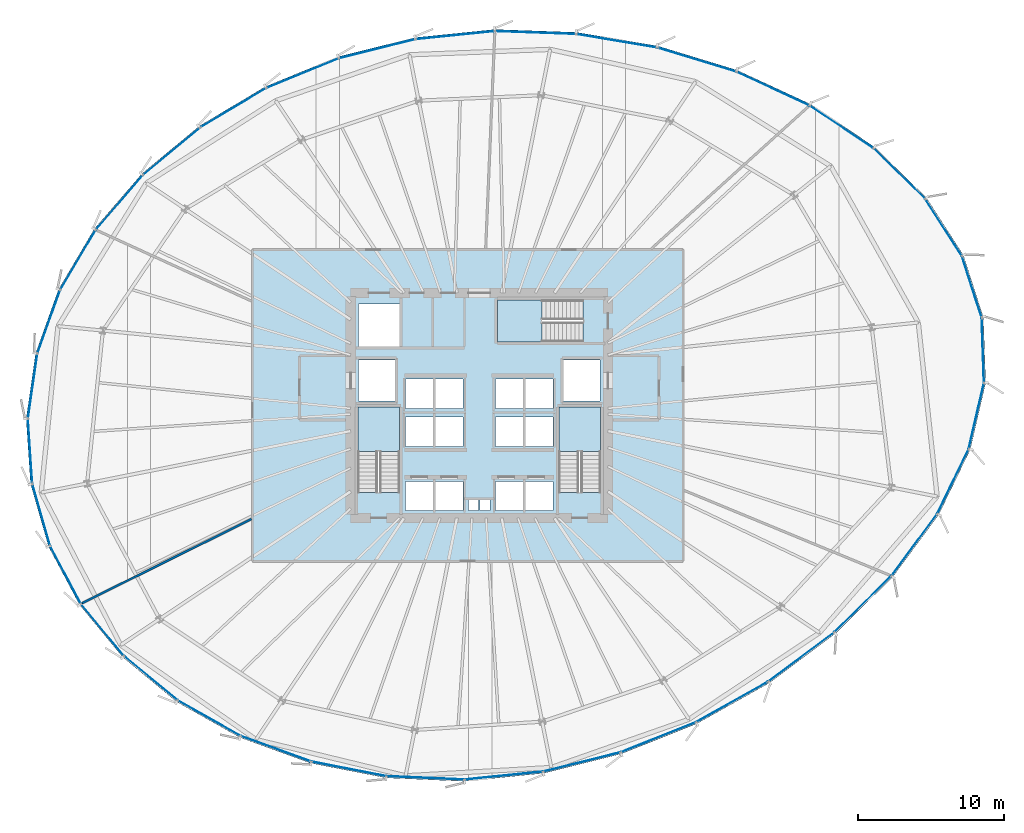
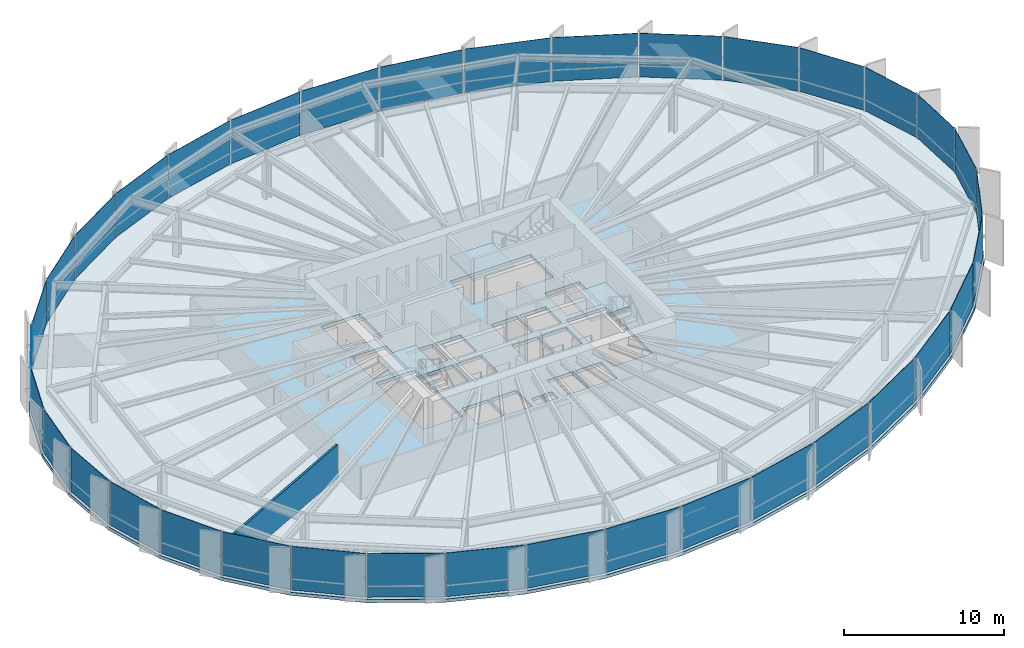
# One storey, part 28 of 35: 36 plates, 4 slabs, 1 wall, 9 elements without a shape of their own.
"""IFC4 building model written with IfcOpenShell, lengths in metres."""

from ifc_helpers import new_model, si_unit, direction, frame, frame_2d, origin, origin_2d, place, context, subcontext, project, spatial, polyline, rectangle, outline, extrude, source, transform, mapped, material, layer, layer_set, type_object, element, aggregate, save


model = new_model("IFC4")

# Units and contexts
model_context = context("Model", 3, precision=1e-05, world=origin(), true_north=direction((0.0, 1.0)))
body_context = subcontext(model_context, "Body", "Model", "MODEL_VIEW")
ifc_project = project(units=[si_unit("LENGTHUNIT", "METRE"), si_unit("AREAUNIT", "SQUARE_METRE"), si_unit("VOLUMEUNIT", "CUBIC_METRE"), si_unit("PLANEANGLEUNIT", "RADIAN"), si_unit("MASSUNIT", "GRAM", prefix="KILO"), si_unit("THERMODYNAMICTEMPERATUREUNIT", "KELVIN")], contexts=[model_context])

# Site, building, storey
site_placement = place(None, origin())
site = spatial("IfcSite", under=ifc_project, at=site_placement, CompositionType="ELEMENT")
building_placement = place(site_placement, origin())
building = spatial("IfcBuilding", under=site, at=building_placement, Name="Kethvar Cultural Tower", CompositionType="ELEMENT")
storey_placement = place(building_placement, frame((0.0, 0.0, 71.39990234375)))
storey = spatial("IfcBuildingStorey", under=building, at=storey_placement, Name="L17", CompositionType="ELEMENT", Elevation=71.39990234375)

# Stair, slab
ifc_material_1 = material(Name="Concrete C40/50", Category="concrete")
stair_type = type_object("IfcStairType", Name="ST-DOGLEG-135", PredefinedType="HALF_TURN_STAIR", material=ifc_material_1)
stair_1_placement = place(storey_placement, origin())
stair_1 = element("IfcStair", 1, at=stair_1_placement, inside=storey, type_object=stair_type, Name="L17 Core Exit Stair 1", PredefinedType="HALF_TURN_STAIR")
ifc_layer_1 = layer(ifc_material_1, 0.199951171875, Name="Concrete C40/50", Category="concrete")
ifc_layer_set_1 = layer_set([ifc_layer_1], Name="Concrete C40/50 (200 mm)")
slab_type_1 = type_object("IfcSlabType", Name="SL-STAIR-LANDING-200", PredefinedType="LANDING", material=ifc_layer_set_1)
slab_1_placement = place(storey_placement, frame((0.0, 0.0, 1.7001953125)))
slab_1 = element("IfcSlab", 2, at=slab_1_placement, type_object=slab_type_1, Name="ST-01 landing 1", PredefinedType="LANDING", context=body_context, shape_type="SweptSolid", body=[
    extrude(outline(polyline([(41.35009765625, 24.64990234375), (41.35009765625, 27.699951171875), (38.489990234375, 27.699951171875), (38.489990234375, 24.64990234375), (41.35009765625, 24.64990234375)])), origin(), (0.0, 0.0, 1.0), 0.199951171875),
])
aggregate(stair_1, [slab_1])

stair_2_placement = place(storey_placement, origin())
stair_2 = element("IfcStair", 3, at=stair_2_placement, inside=storey, type_object=stair_type, Name="L17 Core Exit Stair 2", PredefinedType="HALF_TURN_STAIR")
slab_2_placement = place(storey_placement, frame((0.0, 0.0, 1.7001953125)))
slab_2 = element("IfcSlab", 4, at=slab_2_placement, type_object=slab_type_1, Name="ST-02 landing 1", PredefinedType="LANDING", context=body_context, shape_type="SweptSolid", body=[
    extrude(outline(polyline([(55.110107421875, 24.64990234375), (55.110107421875, 27.699951171875), (52.25, 27.699951171875), (52.25, 24.64990234375), (55.110107421875, 24.64990234375)])), origin(), (0.0, 0.0, 1.0), 0.199951171875),
])
aggregate(stair_2, [slab_2])

stair_3_placement = place(storey_placement, origin())
stair_3 = element("IfcStair", 5, at=stair_3_placement, inside=storey, type_object=stair_type, Name="L17 Core Exit Stair 3", PredefinedType="HALF_TURN_STAIR")
slab_3_placement = place(storey_placement, frame((0.0, 0.0, 1.7001953125)))
slab_3 = element("IfcSlab", 6, at=slab_3_placement, type_object=slab_type_1, Name="ST-03 landing 1", PredefinedType="LANDING", context=body_context, shape_type="SweptSolid", body=[
    extrude(outline(polyline([(51.10009765625, 35.010009765625), (48.050048828125, 35.010009765625), (48.050048828125, 32.14990234375), (51.10009765625, 32.14990234375), (51.10009765625, 35.010009765625)])), origin(), (0.0, 0.0, 1.0), 0.199951171875),
])
aggregate(stair_3, [slab_3])

# Slab
ifc_layer_2 = layer(ifc_material_1, 0.25, Name="Concrete C40/50", Category="concrete")
ifc_layer_set_2 = layer_set([ifc_layer_2], Name="Concrete C40/50 (250 mm)")
slab_type_2 = type_object("IfcSlabType", Name="SL-TOW-250", PredefinedType="FLOOR", material=ifc_layer_set_2)
slab_4_placement = place(storey_placement, frame((0.0, 0.0, -0.25)))
element("IfcSlab", 7, at=slab_4_placement, inside=storey, type_object=slab_type_2, Name="L17 Structural Floor Slab", PredefinedType="FLOOR", context=body_context, shape_type="SweptSolid", body=[
    extrude(outline(polyline([(81.2998046875, 33.8212890625), (79.927978515625, 38.086181640625), (77.399169921875, 42.01220703125), (73.843505859375, 45.48974609375), (69.447021484375, 48.42626953125), (64.428955078125, 50.747802734375), (59.019287109375, 52.397216796875), (53.43359375, 53.3330078125), (47.853271484375, 53.529541015625), (42.406494140625, 52.972900390625), (37.14111328125, 51.659912109375), (32.169189453125, 49.621826171875), (27.6416015625, 46.9208984375), (23.6962890625, 43.638916015625), (20.452880859375, 39.87548828125), (18.010009765625, 35.7451171875), (16.442138671875, 31.37353515625), (15.79638671875, 26.893310546875), (16.0927734375, 22.440673828125), (17.322265625, 18.15087890625), (19.447265625, 14.154296875), (22.403564453125, 10.572265625), (26.100830078125, 7.513671875), (30.42724609375, 5.071533203125), (35.251220703125, 3.31982421875), (40.426025390625, 2.312255859375), (45.79443359375, 2.078857421875), (51.193359375, 2.626953125), (56.506591796875, 3.948486328125), (61.6904296875, 6.0234375), (66.62890625, 8.796142578125), (71.16015625, 12.180419921875), (75.094970703125, 16.064453125), (78.237060546875, 20.31689453125), (80.404296875, 24.79296875), (81.453857421875, 29.34375), (81.2998046875, 33.8212890625)]), holes=[polyline([(38.489990234375, 21.85009765625), (38.489990234375, 27.699951171875), (41.35009765625, 27.699951171875), (41.35009765625, 21.85009765625), (38.489990234375, 21.85009765625)]), polyline([(52.25, 21.85009765625), (52.25, 27.699951171875), (55.110107421875, 27.699951171875), (55.110107421875, 21.85009765625), (52.25, 21.85009765625)]), polyline([(53.89990234375, 32.14990234375), (48.050048828125, 32.14990234375), (48.050048828125, 35.010009765625), (53.89990234375, 35.010009765625), (53.89990234375, 32.14990234375)]), polyline([(41.75, 22.60009765625), (43.64990234375, 22.60009765625), (43.64990234375, 20.60009765625), (41.75, 20.60009765625), (41.75, 22.60009765625)]), polyline([(43.800048828125, 22.60009765625), (45.699951171875, 22.60009765625), (45.699951171875, 20.60009765625), (43.800048828125, 20.60009765625), (43.800048828125, 22.60009765625)]), polyline([(47.89990234375, 22.60009765625), (49.800048828125, 22.60009765625), (49.800048828125, 20.60009765625), (47.89990234375, 20.60009765625), (47.89990234375, 22.60009765625)]), polyline([(49.949951171875, 22.60009765625), (51.85009765625, 22.60009765625), (51.85009765625, 20.60009765625), (49.949951171875, 20.60009765625), (49.949951171875, 22.60009765625)]), polyline([(41.75, 27.0), (43.64990234375, 27.0), (43.64990234375, 25.0), (41.75, 25.0), (41.75, 27.0)]), polyline([(43.800048828125, 27.0), (45.699951171875, 27.0), (45.699951171875, 25.0), (43.800048828125, 25.0), (43.800048828125, 27.0)]), polyline([(47.89990234375, 27.0), (49.800048828125, 27.0), (49.800048828125, 25.0), (47.89990234375, 25.0), (47.89990234375, 27.0)]), polyline([(49.949951171875, 27.0), (51.85009765625, 27.0), (51.85009765625, 25.0), (49.949951171875, 25.0), (49.949951171875, 27.0)]), polyline([(41.75, 29.60009765625), (43.64990234375, 29.60009765625), (43.64990234375, 27.60009765625), (41.75, 27.60009765625), (41.75, 29.60009765625)]), polyline([(43.800048828125, 29.60009765625), (45.699951171875, 29.60009765625), (45.699951171875, 27.60009765625), (43.800048828125, 27.60009765625), (43.800048828125, 29.60009765625)]), polyline([(47.89990234375, 29.60009765625), (49.800048828125, 29.60009765625), (49.800048828125, 27.60009765625), (47.89990234375, 27.60009765625), (47.89990234375, 29.60009765625)]), polyline([(49.949951171875, 29.60009765625), (51.85009765625, 29.60009765625), (51.85009765625, 27.60009765625), (49.949951171875, 27.60009765625), (49.949951171875, 29.60009765625)]), polyline([(38.550048828125, 30.89990234375), (41.050048828125, 30.89990234375), (41.050048828125, 28.10009765625), (38.550048828125, 28.10009765625), (38.550048828125, 30.89990234375)]), polyline([(52.550048828125, 30.89990234375), (55.050048828125, 30.89990234375), (55.050048828125, 28.10009765625), (52.550048828125, 28.10009765625), (52.550048828125, 30.89990234375)]), polyline([(38.550048828125, 34.75), (41.35009765625, 34.75), (41.35009765625, 31.85009765625), (38.550048828125, 31.85009765625), (38.550048828125, 34.75)]), polyline([(46.050048828125, 21.35009765625), (46.75, 21.35009765625), (46.75, 20.60009765625), (46.050048828125, 20.60009765625), (46.050048828125, 21.35009765625)]), polyline([(46.85009765625, 21.35009765625), (47.550048828125, 21.35009765625), (47.550048828125, 20.60009765625), (46.85009765625, 20.60009765625), (46.85009765625, 21.35009765625)])]), origin(), (0.0, 0.0, 1.0), 0.25),
])

# Curtain wall, plates
ifc_material_2 = material(Name="Aluminium 6063-T6", Category="aluminium")
ifc_layer_3 = layer(ifc_material_2, 0.179931640625, Name="Aluminium 6063-T6", Category="aluminium")
ifc_layer_set_3 = layer_set([ifc_layer_3], Name="Aluminium 6063-T6 (180 mm)")
curtain_wall_type = type_object("IfcCurtainWallType", Name="CW-SYS-02-Z1", PredefinedType="NOTDEFINED", material=ifc_layer_set_3)
curtain_wall_1_placement = place(storey_placement, origin())
curtain_wall_1 = element("IfcCurtainWall", 8, at=curtain_wall_1_placement, inside=storey, type_object=curtain_wall_type, Name="L17 Curtain Wall Run 01", PredefinedType="NOTDEFINED")
ifc_material_3 = material(Name="Insulated Low-E Solar Glass", Category="glass")
ifc_layer_4 = layer(ifc_material_3, 0.031982421875, Name="Insulated Low-E Solar Glass", Category="glass")
ifc_layer_set_4 = layer_set([ifc_layer_4], Name="Insulated Low-E Solar Glass (32 mm)")
plate_type = type_object("IfcPlateType", Name="CW-SYS-02-Z1-PNL", PredefinedType="CURTAIN_PANEL", material=ifc_layer_set_4)
shared_shape_1 = source(origin(), body_context, "Body", "SweptSolid", [
    extrude(rectangle(XDim=4.38671875, YDim=0.031982421875, at=origin_2d()), origin(), (0.0, 0.0, 1.0), 3.340087890625),
])
plate_1_placement = place(storey_placement, frame((80.499755859375, 35.9169921875, 0.10009765625), z_axis=(0.0, 0.0, 1.0), x_axis=(-0.306210411771, 0.951963856311, 0.0)))
plate_1 = element("IfcPlate", 9, at=plate_1_placement, type_object=plate_type, Name="CW-L17-R01 Vision Glazing Panel 1", PredefinedType="CURTAIN_PANEL", context=body_context, shape_type="MappedRepresentation", body=[
    mapped(shared_shape_1, transform((0.0, 0.0, 0.0), scale=1.0)),
])
shared_shape_2 = source(origin(), body_context, "Body", "SweptSolid", [
    extrude(rectangle(XDim=4.576416015625, YDim=0.031982421875, at=origin_2d()), origin(), (0.0, 0.0, 1.0), 3.340087890625),
])
plate_2_placement = place(storey_placement, frame((78.562744140625, 39.984375, 0.10009765625), z_axis=(0.0, 0.0, 1.0), x_axis=(-0.541502804946, 0.840698942687, 0.0)))
plate_2 = element("IfcPlate", 10, at=plate_2_placement, type_object=plate_type, Name="CW-L17-R01 Vision Glazing Panel 2", PredefinedType="CURTAIN_PANEL", context=body_context, shape_type="MappedRepresentation", body=[
    mapped(shared_shape_2, transform((0.0, 0.0, 0.0), scale=1.0)),
])

# Curtain wall, plate
curtain_wall_2_placement = place(storey_placement, origin())
curtain_wall_2 = element("IfcCurtainWall", 11, at=curtain_wall_2_placement, inside=storey, type_object=curtain_wall_type, Name="L17 Curtain Wall Run 06", PredefinedType="NOTDEFINED")
plate_3_placement = place(storey_placement, frame((80.812255859375, 27.09521484375, 0.10009765625), z_axis=(0.0, 0.0, 1.0), x_axis=(0.22471296411, 0.974425001609, 0.0)))
plate_3 = element("IfcPlate", 12, at=plate_3_placement, type_object=plate_type, Name="CW-L17-R06 Vision Glazing Panel 5", PredefinedType="CURTAIN_PANEL", context=body_context, shape_type="MappedRepresentation", body=[
    mapped(shared_shape_2, transform((0.0, 0.0, 0.0), scale=1.0)),
])

# Plate
shared_shape_3 = source(origin(), body_context, "Body", "SweptSolid", [
    extrude(rectangle(XDim=4.8798828125, YDim=0.031982421875, at=origin_2d()), origin(), (0.0, 0.0, 1.0), 3.340087890625),
])
plate_4_placement = place(storey_placement, frame((75.53759765625, 43.665283203125, 0.10009765625), z_axis=(0.0, 0.0, 1.0), x_axis=(-0.714924353497, 0.699201808333, 0.0)))
plate_4 = element("IfcPlate", 13, at=plate_4_placement, type_object=plate_type, Name="CW-L17-R01 Vision Glazing Panel 3", PredefinedType="CURTAIN_PANEL", context=body_context, shape_type="MappedRepresentation", body=[
    mapped(shared_shape_3, transform((0.0, 0.0, 0.0), scale=1.0)),
])

plate_5_placement = place(storey_placement, frame((79.212646484375, 22.607177734375, 0.10009765625), z_axis=(0.0, 0.0, 1.0), x_axis=(0.435812409076, 0.900037523715, 0.0)))
plate_5 = element("IfcPlate", 14, at=plate_5_placement, type_object=plate_type, Name="CW-L17-R06 Vision Glazing Panel 4", PredefinedType="CURTAIN_PANEL", context=body_context, shape_type="MappedRepresentation", body=[
    mapped(shared_shape_3, transform((0.0, 0.0, 0.0), scale=1.0)),
])

shared_shape_4 = source(origin(), body_context, "Body", "SweptSolid", [
    extrude(rectangle(XDim=5.193603515625, YDim=0.031982421875, at=origin_2d()), origin(), (0.0, 0.0, 1.0), 3.340087890625),
])
plate_6_placement = place(storey_placement, frame((71.57861328125, 46.858154296875, 0.10009765625), z_axis=(0.0, 0.0, 1.0), x_axis=(-0.831566564936, 0.555425105735, 0.0)))
plate_6 = element("IfcPlate", 15, at=plate_6_placement, type_object=plate_type, Name="CW-L17-R01 Vision Glazing Panel 4", PredefinedType="CURTAIN_PANEL", context=body_context, shape_type="MappedRepresentation", body=[
    mapped(shared_shape_4, transform((0.0, 0.0, 0.0), scale=1.0)),
])

plate_7_placement = place(storey_placement, frame((76.569580078125, 18.261962890625, 0.10009765625), z_axis=(0.0, 0.0, 1.0), x_axis=(0.594261443885, 0.804271929332, 0.0)))
plate_7 = element("IfcPlate", 16, at=plate_7_placement, type_object=plate_type, Name="CW-L17-R06 Vision Glazing Panel 3", PredefinedType="CURTAIN_PANEL", context=body_context, shape_type="MappedRepresentation", body=[
    mapped(shared_shape_4, transform((0.0, 0.0, 0.0), scale=1.0)),
])

shared_shape_5 = source(origin(), body_context, "Body", "SweptSolid", [
    extrude(rectangle(XDim=5.435302734375, YDim=0.031982421875, at=origin_2d()), origin(), (0.0, 0.0, 1.0), 3.340087890625),
])
plate_8_placement = place(storey_placement, frame((66.8876953125, 49.47802734375, 0.10009765625), z_axis=(0.0, 0.0, 1.0), x_axis=(-0.90757971561, 0.419879815916, 0.0)))
plate_8 = element("IfcPlate", 17, at=plate_8_placement, type_object=plate_type, Name="CW-L17-R01 Vision Glazing Panel 5", PredefinedType="CURTAIN_PANEL", context=body_context, shape_type="MappedRepresentation", body=[
    mapped(shared_shape_5, transform((0.0, 0.0, 0.0), scale=1.0)),
])

plate_9_placement = place(storey_placement, frame((73.043212890625, 14.2080078125, 0.10009765625), z_axis=(0.0, 0.0, 1.0), x_axis=(0.711695085114, 0.70248850939, 0.0)))
plate_9 = element("IfcPlate", 18, at=plate_9_placement, type_object=plate_type, Name="CW-L17-R06 Vision Glazing Panel 2", PredefinedType="CURTAIN_PANEL", context=body_context, shape_type="MappedRepresentation", body=[
    mapped(shared_shape_5, transform((0.0, 0.0, 0.0), scale=1.0)),
])

shared_shape_6 = source(origin(), body_context, "Body", "SweptSolid", [
    extrude(rectangle(XDim=5.56201171875, YDim=0.031982421875, at=origin_2d()), origin(), (0.0, 0.0, 1.0), 3.340087890625),
])
plate_10_placement = place(storey_placement, frame((61.689208984375, 51.457763671875, 0.10009765625), z_axis=(0.0, 0.0, 1.0), x_axis=(-0.956534089191, 0.291620534626, 0.0)))
plate_10 = element("IfcPlate", 19, at=plate_10_placement, type_object=plate_type, Name="CW-L17-R01 Vision Glazing Panel 6", PredefinedType="CURTAIN_PANEL", context=body_context, shape_type="MappedRepresentation", body=[
    mapped(shared_shape_6, transform((0.0, 0.0, 0.0), scale=1.0)),
])

aggregate(curtain_wall_1, [plate_1, plate_2, plate_4, plate_6, plate_8, plate_10])

plate_11_placement = place(storey_placement, frame((68.822509765625, 10.58447265625, 0.10009765625), z_axis=(0.0, 0.0, 1.0), x_axis=(0.801201595969, 0.598394520878, 0.0)))
plate_11 = element("IfcPlate", 20, at=plate_11_placement, type_object=plate_type, Name="CW-L17-R06 Vision Glazing Panel 1", PredefinedType="CURTAIN_PANEL", context=body_context, shape_type="MappedRepresentation", body=[
    mapped(shared_shape_6, transform((0.0, 0.0, 0.0), scale=1.0)),
])

# Curtain wall, plates
curtain_wall_3_placement = place(storey_placement, origin())
curtain_wall_3 = element("IfcCurtainWall", 21, at=curtain_wall_3_placement, inside=storey, type_object=curtain_wall_type, Name="L17 Curtain Wall Run 02", PredefinedType="NOTDEFINED")
shared_shape_7 = source(origin(), body_context, "Body", "SweptSolid", [
    extrude(rectangle(XDim=5.570068359375, YDim=0.031982421875, at=origin_2d()), origin(), (0.0, 0.0, 1.0), 3.340087890625),
])
plate_12_placement = place(storey_placement, frame((56.20654296875, 52.74658203125, 0.10009765625), z_axis=(0.0, 0.0, 1.0), x_axis=(-0.986248128037, 0.165271382715, 0.0)))
plate_12 = element("IfcPlate", 22, at=plate_12_placement, type_object=plate_type, Name="CW-L17-R02 Vision Glazing Panel 1", PredefinedType="CURTAIN_PANEL", context=body_context, shape_type="MappedRepresentation", body=[
    mapped(shared_shape_7, transform((0.0, 0.0, 0.0), scale=1.0)),
])
shared_shape_8 = source(origin(), body_context, "Body", "SweptSolid", [
    extrude(rectangle(XDim=5.489990234375, YDim=0.031982421875, at=origin_2d()), origin(), (0.0, 0.0, 1.0), 3.340087890625),
])
plate_13_placement = place(storey_placement, frame((50.63916015625, 53.311279296875, 0.10009765625), z_axis=(0.0, 0.0, 1.0), x_axis=(-0.999381042274, 0.035178577905, 0.0)))
plate_13 = element("IfcPlate", 23, at=plate_13_placement, type_object=plate_type, Name="CW-L17-R02 Vision Glazing Panel 2", PredefinedType="CURTAIN_PANEL", context=body_context, shape_type="MappedRepresentation", body=[
    mapped(shared_shape_8, transform((0.0, 0.0, 0.0), scale=1.0)),
])
shared_shape_9 = source(origin(), body_context, "Body", "SweptSolid", [
    extrude(rectangle(XDim=5.38134765625, YDim=0.031982421875, at=origin_2d()), origin(), (0.0, 0.0, 1.0), 3.340087890625),
])
plate_14_placement = place(storey_placement, frame((45.14208984375, 53.1318359375, 0.10009765625), z_axis=(0.0, 0.0, 1.0), x_axis=(-0.994820565651, -0.101646653453, 0.0)))
plate_14 = element("IfcPlate", 24, at=plate_14_placement, type_object=plate_type, Name="CW-L17-R02 Vision Glazing Panel 3", PredefinedType="CURTAIN_PANEL", context=body_context, shape_type="MappedRepresentation", body=[
    mapped(shared_shape_9, transform((0.0, 0.0, 0.0), scale=1.0)),
])

# Curtain wall, plate
curtain_wall_4_placement = place(storey_placement, origin())
curtain_wall_4 = element("IfcCurtainWall", 25, at=curtain_wall_4_placement, inside=storey, type_object=curtain_wall_type, Name="L17 Curtain Wall Run 05", PredefinedType="NOTDEFINED")
plate_15_placement = place(storey_placement, frame((53.821044921875, 3.404296875, 0.10009765625), z_axis=(0.0, 0.0, 1.0), x_axis=(0.970439114771, 0.241346067964, 0.0)))
plate_15 = element("IfcPlate", 26, at=plate_15_placement, type_object=plate_type, Name="CW-L17-R05 Vision Glazing Panel 4", PredefinedType="CURTAIN_PANEL", context=body_context, shape_type="MappedRepresentation", body=[
    mapped(shared_shape_9, transform((0.0, 0.0, 0.0), scale=1.0)),
])

# Plate
shared_shape_10 = source(origin(), body_context, "Body", "SweptSolid", [
    extrude(rectangle(XDim=5.333251953125, YDim=0.031982421875, at=origin_2d()), origin(), (0.0, 0.0, 1.0), 3.340087890625),
])
plate_16_placement = place(storey_placement, frame((39.802734375, 52.199951171875, 0.10009765625), z_axis=(0.0, 0.0, 1.0), x_axis=(-0.970283057945, -0.241972699833, 0.0)))
plate_16 = element("IfcPlate", 27, at=plate_16_placement, type_object=plate_type, Name="CW-L17-R02 Vision Glazing Panel 4", PredefinedType="CURTAIN_PANEL", context=body_context, shape_type="MappedRepresentation", body=[
    mapped(shared_shape_10, transform((0.0, 0.0, 0.0), scale=1.0)),
])

plate_17_placement = place(storey_placement, frame((48.481689453125, 2.472412109375, 0.10009765625), z_axis=(0.0, 0.0, 1.0), x_axis=(0.994884235753, 0.101021569233, 0.0)))
plate_17 = element("IfcPlate", 28, at=plate_17_placement, type_object=plate_type, Name="CW-L17-R05 Vision Glazing Panel 3", PredefinedType="CURTAIN_PANEL", context=body_context, shape_type="MappedRepresentation", body=[
    mapped(shared_shape_10, transform((0.0, 0.0, 0.0), scale=1.0)),
])

shared_shape_11 = source(origin(), body_context, "Body", "SweptSolid", [
    extrude(rectangle(XDim=5.27978515625, YDim=0.031982421875, at=origin_2d()), origin(), (0.0, 0.0, 1.0), 3.340087890625),
])
plate_18_placement = place(storey_placement, frame((34.70068359375, 50.52978515625, 0.10009765625), z_axis=(0.0, 0.0, 1.0), x_axis=(-0.925289171205, -0.379262375738, 0.0)))
plate_18 = element("IfcPlate", 29, at=plate_18_placement, type_object=plate_type, Name="CW-L17-R02 Vision Glazing Panel 5", PredefinedType="CURTAIN_PANEL", context=body_context, shape_type="MappedRepresentation", body=[
    mapped(shared_shape_11, transform((0.0, 0.0, 0.0), scale=1.0)),
])

plate_19_placement = place(storey_placement, frame((43.115478515625, 2.3154296875, 0.10009765625), z_axis=(0.0, 0.0, 1.0), x_axis=(0.999056577491, -0.043427583073, 0.0)))
plate_19 = element("IfcPlate", 30, at=plate_19_placement, type_object=plate_type, Name="CW-L17-R05 Vision Glazing Panel 2", PredefinedType="CURTAIN_PANEL", context=body_context, shape_type="MappedRepresentation", body=[
    mapped(shared_shape_11, transform((0.0, 0.0, 0.0), scale=1.0)),
])

shared_shape_12 = source(origin(), body_context, "Body", "SweptSolid", [
    extrude(rectangle(XDim=5.178466796875, YDim=0.031982421875, at=origin_2d()), origin(), (0.0, 0.0, 1.0), 3.340087890625),
])
plate_20_placement = place(storey_placement, frame((29.966796875, 48.168212890625, 0.10009765625), z_axis=(0.0, 0.0, 1.0), x_axis=(-0.858781107925, -0.512342667236, 0.0)))
plate_20 = element("IfcPlate", 31, at=plate_20_placement, type_object=plate_type, Name="CW-L17-R02 Vision Glazing Panel 6", PredefinedType="CURTAIN_PANEL", context=body_context, shape_type="MappedRepresentation", body=[
    mapped(shared_shape_12, transform((0.0, 0.0, 0.0), scale=1.0)),
])

aggregate(curtain_wall_3, [plate_12, plate_13, plate_14, plate_16, plate_18, plate_20])

plate_21_placement = place(storey_placement, frame((37.861572265625, 2.933837890625, 0.10009765625), z_axis=(0.0, 0.0, 1.0), x_axis=(0.981563854817, -0.19113450478, 0.0)))
plate_21 = element("IfcPlate", 32, at=plate_21_placement, type_object=plate_type, Name="CW-L17-R05 Vision Glazing Panel 1", PredefinedType="CURTAIN_PANEL", context=body_context, shape_type="MappedRepresentation", body=[
    mapped(shared_shape_12, transform((0.0, 0.0, 0.0), scale=1.0)),
])

# Curtain wall, plates
curtain_wall_5_placement = place(storey_placement, origin())
curtain_wall_5 = element("IfcCurtainWall", 33, at=curtain_wall_5_placement, inside=storey, type_object=curtain_wall_type, Name="L17 Curtain Wall Run 03", PredefinedType="NOTDEFINED")
shared_shape_13 = source(origin(), body_context, "Body", "SweptSolid", [
    extrude(rectangle(XDim=5.038330078125, YDim=0.031982421875, at=origin_2d()), origin(), (0.0, 0.0, 1.0), 3.340087890625),
])
plate_22_placement = place(storey_placement, frame((25.74560546875, 45.1875, 0.10009765625), z_axis=(0.0, 0.0, 1.0), x_axis=(-0.768774865962, -0.639519511403, 0.0)))
plate_22 = element("IfcPlate", 34, at=plate_22_placement, type_object=plate_type, Name="CW-L17-R03 Vision Glazing Panel 1", PredefinedType="CURTAIN_PANEL", context=body_context, shape_type="MappedRepresentation", body=[
    mapped(shared_shape_13, transform((0.0, 0.0, 0.0), scale=1.0)),
])
shared_shape_14 = source(origin(), body_context, "Body", "SweptSolid", [
    extrude(rectangle(XDim=4.87451171875, YDim=0.031982421875, at=origin_2d()), origin(), (0.0, 0.0, 1.0), 3.340087890625),
])
plate_23_placement = place(storey_placement, frame((22.16552734375, 41.6787109375, 0.10009765625), z_axis=(0.0, 0.0, 1.0), x_axis=(-0.652839080903, -0.757496623389, 0.0)))
plate_23 = element("IfcPlate", 35, at=plate_23_placement, type_object=plate_type, Name="CW-L17-R03 Vision Glazing Panel 2", PredefinedType="CURTAIN_PANEL", context=body_context, shape_type="MappedRepresentation", body=[
    mapped(shared_shape_14, transform((0.0, 0.0, 0.0), scale=1.0)),
])

# Curtain wall, plate
curtain_wall_6_placement = place(storey_placement, origin())
curtain_wall_6 = element("IfcCurtainWall", 36, at=curtain_wall_6_placement, inside=storey, type_object=curtain_wall_type, Name="L17 Curtain Wall Run 04", PredefinedType="NOTDEFINED")
plate_24_placement = place(storey_placement, frame((28.322998046875, 6.397216796875, 0.10009765625), z_axis=(0.0, 0.0, 1.0), x_axis=(0.870836567243, -0.491572652974, 0.0)))
plate_24 = element("IfcPlate", 37, at=plate_24_placement, type_object=plate_type, Name="CW-L17-R04 Vision Glazing Panel 5", PredefinedType="CURTAIN_PANEL", context=body_context, shape_type="MappedRepresentation", body=[
    mapped(shared_shape_14, transform((0.0, 0.0, 0.0), scale=1.0)),
])

# Plate
shared_shape_15 = source(origin(), body_context, "Body", "SweptSolid", [
    extrude(rectangle(XDim=4.704833984375, YDim=0.031982421875, at=origin_2d()), origin(), (0.0, 0.0, 1.0), 3.340087890625),
])
plate_25_placement = place(storey_placement, frame((19.334716796875, 37.749267578125, 0.10009765625), z_axis=(0.0, 0.0, 1.0), x_axis=(-0.509071461005, -0.860724257582, 0.0)))
plate_25 = element("IfcPlate", 38, at=plate_25_placement, type_object=plate_type, Name="CW-L17-R03 Vision Glazing Panel 3", PredefinedType="CURTAIN_PANEL", context=body_context, shape_type="MappedRepresentation", body=[
    mapped(shared_shape_15, transform((0.0, 0.0, 0.0), scale=1.0)),
])

plate_26_placement = place(storey_placement, frame((24.32861328125, 9.135498046875, 0.10009765625), z_axis=(0.0, 0.0, 1.0), x_axis=(0.770524367806, -0.637410541659, 0.0)))
plate_26 = element("IfcPlate", 39, at=plate_26_placement, type_object=plate_type, Name="CW-L17-R04 Vision Glazing Panel 4", PredefinedType="CURTAIN_PANEL", context=body_context, shape_type="MappedRepresentation", body=[
    mapped(shared_shape_15, transform((0.0, 0.0, 0.0), scale=1.0)),
])

shared_shape_16 = source(origin(), body_context, "Body", "SweptSolid", [
    extrude(rectangle(XDim=4.55078125, YDim=0.031982421875, at=origin_2d()), origin(), (0.0, 0.0, 1.0), 3.340087890625),
])
plate_27_placement = place(storey_placement, frame((17.339111328125, 33.518798828125, 0.10009765625), z_axis=(0.0, 0.0, 1.0), x_axis=(-0.337621022167, -0.941282128477, 0.0)))
plate_27 = element("IfcPlate", 40, at=plate_27_placement, type_object=plate_type, Name="CW-L17-R03 Vision Glazing Panel 4", PredefinedType="CURTAIN_PANEL", context=body_context, shape_type="MappedRepresentation", body=[
    mapped(shared_shape_16, transform((0.0, 0.0, 0.0), scale=1.0)),
])

plate_28_placement = place(storey_placement, frame((21.017822265625, 12.439697265625, 0.10009765625), z_axis=(0.0, 0.0, 1.0), x_axis=(0.636522538606, -0.771258100668, 0.0)))
plate_28 = element("IfcPlate", 41, at=plate_28_placement, type_object=plate_type, Name="CW-L17-R04 Vision Glazing Panel 3", PredefinedType="CURTAIN_PANEL", context=body_context, shape_type="MappedRepresentation", body=[
    mapped(shared_shape_16, transform((0.0, 0.0, 0.0), scale=1.0)),
])

shared_shape_17 = source(origin(), body_context, "Body", "SweptSolid", [
    extrude(rectangle(XDim=4.432861328125, YDim=0.031982421875, at=origin_2d()), origin(), (0.0, 0.0, 1.0), 3.340087890625),
])
plate_29_placement = place(storey_placement, frame((16.238037109375, 29.116455078125, 0.10009765625), z_axis=(0.0, 0.0, 1.0), x_axis=(-0.142646208538, -0.989773741413, 0.0)))
plate_29 = element("IfcPlate", 42, at=plate_29_placement, type_object=plate_type, Name="CW-L17-R03 Vision Glazing Panel 5", PredefinedType="CURTAIN_PANEL", context=body_context, shape_type="MappedRepresentation", body=[
    mapped(shared_shape_17, transform((0.0, 0.0, 0.0), scale=1.0)),
])

plate_30_placement = place(storey_placement, frame((18.49072265625, 16.208984375, 0.10009765625), z_axis=(0.0, 0.0, 1.0), x_axis=(0.469486973057, -0.8829393989, 0.0)))
plate_30 = element("IfcPlate", 43, at=plate_30_placement, type_object=plate_type, Name="CW-L17-R04 Vision Glazing Panel 2", PredefinedType="CURTAIN_PANEL", context=body_context, shape_type="MappedRepresentation", body=[
    mapped(shared_shape_17, transform((0.0, 0.0, 0.0), scale=1.0)),
])

shared_shape_18 = source(origin(), body_context, "Body", "SweptSolid", [
    extrude(rectangle(XDim=4.368896484375, YDim=0.031982421875, at=origin_2d()), origin(), (0.0, 0.0, 1.0), 3.340087890625),
])
plate_31_placement = place(storey_placement, frame((16.064208984375, 24.675048828125, 0.10009765625), z_axis=(0.0, 0.0, 1.0), x_axis=(0.066413219121, -0.997792204984, 0.0)))
plate_31 = element("IfcPlate", 44, at=plate_31_placement, type_object=plate_type, Name="CW-L17-R03 Vision Glazing Panel 6", PredefinedType="CURTAIN_PANEL", context=body_context, shape_type="MappedRepresentation", body=[
    mapped(shared_shape_18, transform((0.0, 0.0, 0.0), scale=1.0)),
])

aggregate(curtain_wall_5, [plate_22, plate_23, plate_25, plate_27, plate_29, plate_31])

plate_32_placement = place(storey_placement, frame((16.822998046875, 20.328857421875, 0.10009765625), z_axis=(0.0, 0.0, 1.0), x_axis=(0.275503135678, -0.961300172803, 0.0)))
plate_32 = element("IfcPlate", 45, at=plate_32_placement, type_object=plate_type, Name="CW-L17-R04 Vision Glazing Panel 1", PredefinedType="CURTAIN_PANEL", context=body_context, shape_type="MappedRepresentation", body=[
    mapped(shared_shape_18, transform((0.0, 0.0, 0.0), scale=1.0)),
])

shared_shape_19 = source(origin(), body_context, "Body", "SweptSolid", [
    extrude(rectangle(XDim=5.03857421875, YDim=0.031982421875, at=origin_2d()), origin(), (0.0, 0.0, 1.0), 3.340087890625),
])
plate_33_placement = place(storey_placement, frame((32.880126953125, 4.30859375, 0.10009765625), z_axis=(0.0, 0.0, 1.0), x_axis=(0.939954996288, -0.341298410417, 0.0)))
plate_33 = element("IfcPlate", 46, at=plate_33_placement, type_object=plate_type, Name="CW-L17-R04 Vision Glazing Panel 6", PredefinedType="CURTAIN_PANEL", context=body_context, shape_type="MappedRepresentation", body=[
    mapped(shared_shape_19, transform((0.0, 0.0, 0.0), scale=1.0)),
])

aggregate(curtain_wall_6, [plate_32, plate_30, plate_28, plate_26, plate_24, plate_33])

shared_shape_20 = source(origin(), body_context, "Body", "SweptSolid", [
    extrude(rectangle(XDim=5.490234375, YDim=0.031982421875, at=origin_2d()), origin(), (0.0, 0.0, 1.0), 3.340087890625),
])
plate_34_placement = place(storey_placement, frame((59.053955078125, 5.097412109375, 0.10009765625), z_axis=(0.0, 0.0, 1.0), x_axis=(0.928388571191, 0.371610899842, 0.0)))
plate_34 = element("IfcPlate", 47, at=plate_34_placement, type_object=plate_type, Name="CW-L17-R05 Vision Glazing Panel 5", PredefinedType="CURTAIN_PANEL", context=body_context, shape_type="MappedRepresentation", body=[
    mapped(shared_shape_20, transform((0.0, 0.0, 0.0), scale=1.0)),
])

shared_shape_21 = source(origin(), body_context, "Body", "SweptSolid", [
    extrude(rectangle(XDim=5.56982421875, YDim=0.031982421875, at=origin_2d()), origin(), (0.0, 0.0, 1.0), 3.340087890625),
])
plate_35_placement = place(storey_placement, frame((64.100830078125, 7.514404296875, 0.10009765625), z_axis=(0.0, 0.0, 1.0), x_axis=(0.87195821263, 0.489580305392, 0.0)))
plate_35 = element("IfcPlate", 48, at=plate_35_placement, type_object=plate_type, Name="CW-L17-R05 Vision Glazing Panel 6", PredefinedType="CURTAIN_PANEL", context=body_context, shape_type="MappedRepresentation", body=[
    mapped(shared_shape_21, transform((0.0, 0.0, 0.0), scale=1.0)),
])

aggregate(curtain_wall_4, [plate_21, plate_19, plate_17, plate_15, plate_34, plate_35])

shared_shape_22 = source(origin(), body_context, "Body", "SweptSolid", [
    extrude(rectangle(XDim=4.386474609375, YDim=0.031982421875, at=origin_2d()), origin(), (0.0, 0.0, 1.0), 3.340087890625),
])
plate_36_placement = place(storey_placement, frame((81.257080078125, 31.578369140625, 0.10009765625), z_axis=(0.0, 0.0, 1.0), x_axis=(-0.034358769147, 0.999409563184, 0.0)))
plate_36 = element("IfcPlate", 49, at=plate_36_placement, type_object=plate_type, Name="CW-L17-R06 Vision Glazing Panel 6", PredefinedType="CURTAIN_PANEL", context=body_context, shape_type="MappedRepresentation", body=[
    mapped(shared_shape_22, transform((0.0, 0.0, 0.0), scale=1.0)),
])

aggregate(curtain_wall_2, [plate_11, plate_9, plate_7, plate_5, plate_3, plate_36])

# Wall
ifc_material_4 = material(Name="Gypsum Acoustic Partition")
ifc_layer_5 = layer(ifc_material_4, 0.14990234375, Name="Gypsum Acoustic Partition")
ifc_layer_set_5 = layer_set([ifc_layer_5], Name="Gypsum Acoustic Partition (150 mm)")
wall_type = type_object("IfcWallType", Name="WL-PART-150", PredefinedType="PARTITIONING", material=ifc_layer_set_5)
wall_placement = place(storey_placement, frame((31.21826171875, 20.02685546875, 0.0), z_axis=(0.0, 0.0, 1.0), x_axis=(-0.895741488964, -0.44457528603, 0.0)))
element("IfcWall", 50, at=wall_placement, inside=storey, type_object=wall_type, Name="L17 Radial Partition Wall 01", PredefinedType="PARTITIONING", context=body_context, shape_type="SweptSolid", body=[
    extrude(rectangle(XDim=12.927734375, YDim=0.14990234375, at=frame_2d((6.4638671875, 0.0))), origin(), (0.0, 0.0, 1.0), 2.4951171875),
])

save(model, "model.ifc")
